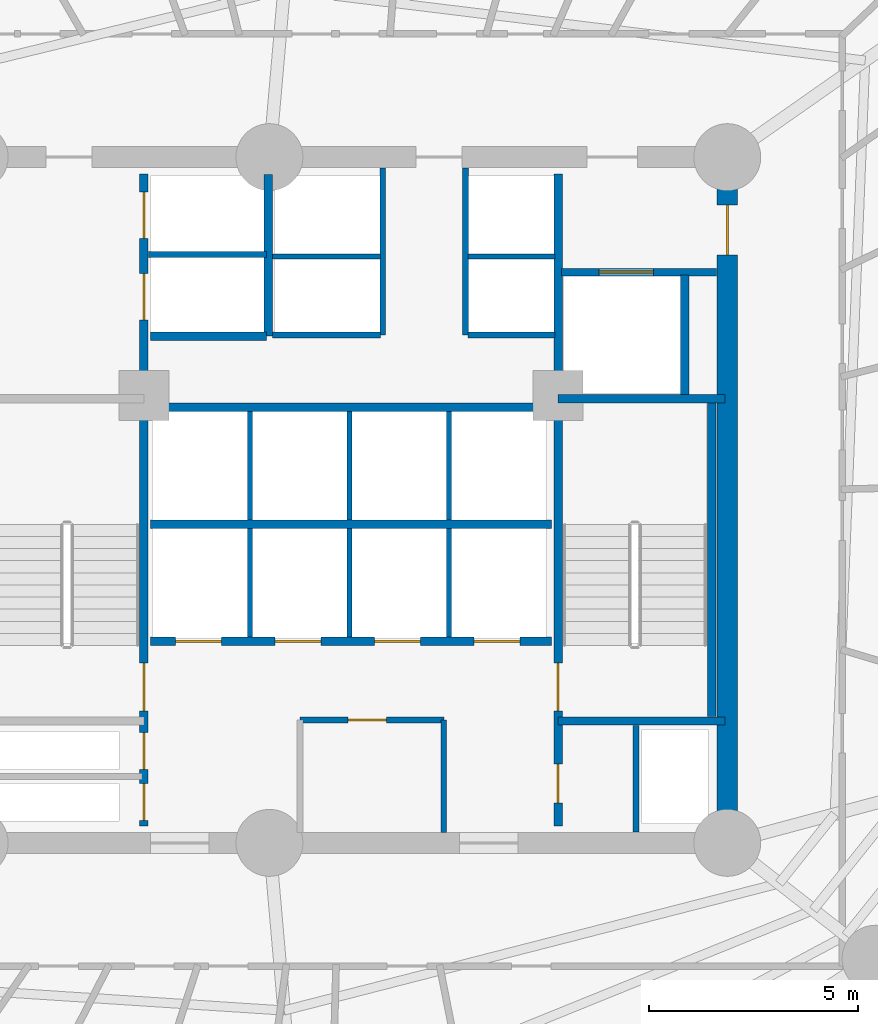
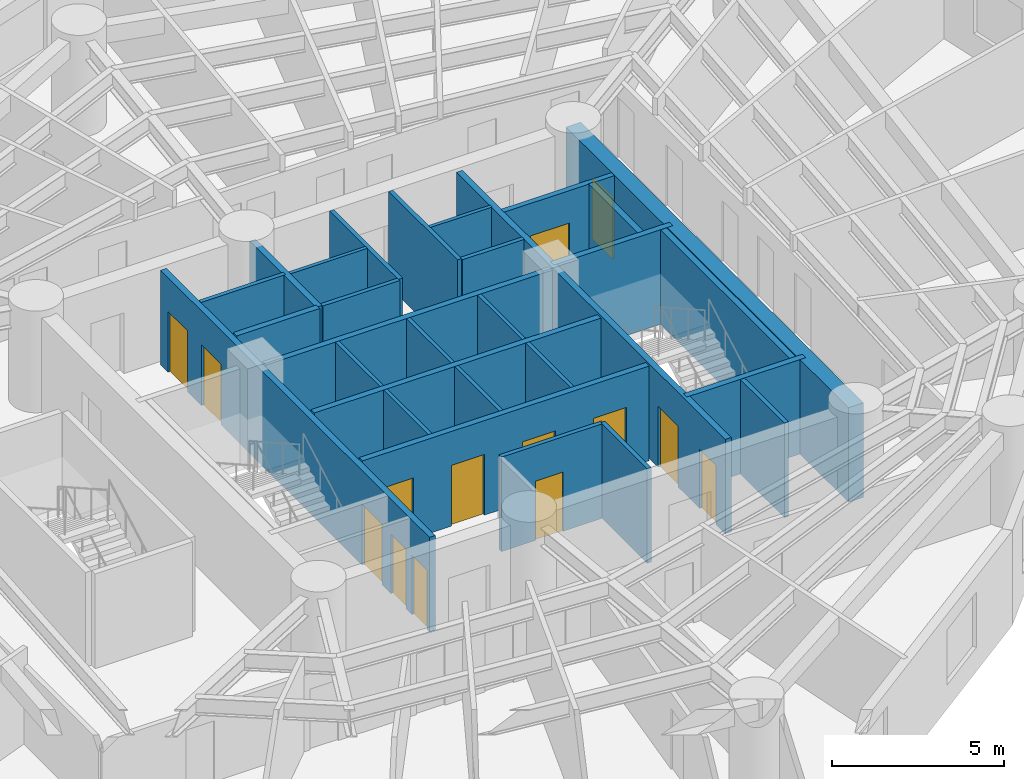
# One storey, part 4 of 7: 29 walls, 14 doors, 14 openings.
"""IFC4 building model written with IfcOpenShell, lengths in metres."""

from ifc_helpers import new_model, si_unit, direction, frame, frame_2d, origin, origin_with_axes, place, context, subcontext, project, spatial, rectangle, extrude, source, transform, mapped, material, layer, layer_set, type_object, element, fill, save


model = new_model("IFC4")

# Units and contexts
model_context = context("Model", 3, precision=1e-05, world=origin(), true_north=direction((0.0, 1.0)))
body_context = subcontext(model_context, "Body", "Model", "MODEL_VIEW")
ifc_project = project(units=[si_unit("LENGTHUNIT", "METRE"), si_unit("AREAUNIT", "SQUARE_METRE"), si_unit("VOLUMEUNIT", "CUBIC_METRE"), si_unit("PLANEANGLEUNIT", "RADIAN"), si_unit("MASSUNIT", "GRAM", prefix="KILO")], contexts=[model_context])

# Site, building, storey
site_placement = place(None, origin())
site = spatial("IfcSite", under=ifc_project, at=site_placement, CompositionType="ELEMENT")
building_placement = place(site_placement, origin())
building = spatial("IfcBuilding", under=site, at=building_placement, Name="Karkom Vertical University and Central Library", CompositionType="ELEMENT")
storey_placement = place(building_placement, frame((0.0, 0.0, 80.5)))
storey = spatial("IfcBuildingStorey", under=building, at=storey_placement, Name="L21", CompositionType="ELEMENT", Elevation=80.5)

# Walls
ifc_material_1 = material(Name="Moisture-resistant drywall 120mm", Category="gypsum")
ifc_layer_1 = layer(ifc_material_1, 0.1201171875)
ifc_layer_set_1 = layer_set([ifc_layer_1], Name="Moisture-resistant drywall 120mm")
wall_type_1 = type_object("IfcWallType", Name="INT-WL-INT-120H", PredefinedType="PARTITIONING", material=ifc_layer_set_1)
for number, where, z_axis, x_axis, name in (
    (1, (26.080078125, 23.219970703125, 0.0), (0.0, 0.0, 1.0), (0.0, 1.0, 0.0), "Level 21 Interior Partition Wall L21-CW-PL-DIV1"),
    (2, (28.4599609375, 23.219970703125, 0.0), (0.0, 0.0, 1.0), (0.0, 1.0, 0.0), "Level 21 Interior Partition Wall L21-CW-PL-DIV2"),
    (3, (30.840087890625, 23.219970703125, 0.0), (0.0, 0.0, 1.0), (0.0, 1.0, 0.0), "Level 21 Interior Partition Wall L21-CW-PL-DIV3"),
    (4, (26.080078125, 26.02001953125, 0.0), (0.0, 0.0, 1.0), (0.0, 1.0, 0.0), "Level 21 Interior Partition Wall L21-CW-PM-DIV1"),
    (5, (28.4599609375, 26.02001953125, 0.0), (0.0, 0.0, 1.0), (0.0, 1.0, 0.0), "Level 21 Interior Partition Wall L21-CW-PM-DIV2"),
    (6, (30.840087890625, 26.02001953125, 0.0), (0.0, 0.0, 1.0), (0.0, 1.0, 0.0), "Level 21 Interior Partition Wall L21-CW-PM-DIV3"),
):
    element("IfcWall", number, at=place(storey_placement, frame(where, z_axis=z_axis, x_axis=x_axis)), inside=storey, type_object=wall_type_1, Name=name, PredefinedType="PARTITIONING", context=body_context, shape_type="SweptSolid", body=[
        extrude(rectangle(XDim=2.60009765625, YDim=0.1201171875, at=frame_2d((1.300048828125, 0.0))), origin(), (0.0, 0.0, 1.0), 3.35009765625),
    ])
wall_1_placement = place(storey_placement, frame((26.6201171875, 32.320068359375, 0.0), z_axis=(0.0, 0.0, 1.0), x_axis=(1.0, 0.0, 0.0)))
element("IfcWall", 7, at=wall_1_placement, inside=storey, type_object=wall_type_1, Name="Level 21 Interior Partition Wall L21-CW-PH-MW", PredefinedType="PARTITIONING", context=body_context, shape_type="SweptSolid", body=[
    extrude(rectangle(XDim=2.579833984375, YDim=0.1201171875, at=frame_2d((1.2900390625, 0.0))), origin(), (0.0, 0.0, 1.0), 3.35009765625),
])
wall_2_placement = place(storey_placement, frame((31.300048828125, 32.320068359375, 0.0), z_axis=(0.0, 0.0, 1.0), x_axis=(1.0, 0.0, 0.0)))
element("IfcWall", 8, at=wall_2_placement, inside=storey, type_object=wall_type_1, Name="Level 21 Interior Partition Wall L21-CW-PH-ME", PredefinedType="PARTITIONING", context=body_context, shape_type="SweptSolid", body=[
    extrude(rectangle(XDim=2.074951171875, YDim=0.1201171875, at=frame_2d((1.03759765625, 0.0))), origin(), (0.0, 0.0, 1.0), 3.35009765625),
])

# Wall, opening, door
ifc_material_2 = material(Name="Metal-stud gypsum partition 140mm", Category="gypsum")
ifc_layer_2 = layer(ifc_material_2, 0.139892578125)
ifc_layer_set_2 = layer_set([ifc_layer_2], Name="Metal-stud gypsum partition 140mm")
wall_type_2 = type_object("IfcWallType", Name="INT-WL-SUB-140", PredefinedType="PARTITIONING", material=ifc_layer_set_2)
wall_3_placement = place(storey_placement, frame((27.280029296875, 21.239990234375, 0.0), z_axis=(0.0, 0.0, 1.0), x_axis=(1.0, 0.0, 0.0)))
wall_3 = element("IfcWall", 9, at=wall_3_placement, inside=storey, type_object=wall_type_2, Name="Level 21 Interior Partition Wall L21-CW-KBAY-N", PredefinedType="PARTITIONING", context=body_context, shape_type="SweptSolid", body=[
    extrude(rectangle(XDim=3.43994140625, YDim=0.139892578125, at=frame_2d((1.719970703125, 0.0))), origin(), (0.0, 0.0, 1.0), 3.35009765625),
])
opening_1_placement = place(wall_3_placement, frame((1.14990234375, 0.0, 0.0)))
opening_1 = element("IfcOpeningElement", 10, at=opening_1_placement, cuts=wall_3, Name="Opening D-SVC1", PredefinedType="OPENING", context=body_context, shape_type="SweptSolid", body=[
    extrude(rectangle(XDim=0.919921875, YDim=2.10009765625, at=frame_2d((0.4599609375, 1.050048828125))), frame((0.0, 0.080078125, 0.0), z_axis=(0.0, -1.0, 0.0), x_axis=(1.0, 0.0, 0.0)), (0.0, 0.0, 1.0), 0.159912109375),
])
ifc_material_3 = material(Name="Painted timber service door", Category="wood")
door_type_1 = type_object("IfcDoorType", Name="INT-DR-SVC1", OperationType="NOTDEFINED", PredefinedType="DOOR", material=ifc_material_3)
shared_shape_1 = source(origin_with_axes(), body_context, "Body", "SweptSolid", [
    extrude(rectangle(XDim=0.919921875, YDim=2.10009765625, at=frame_2d((0.4599609375, 1.050048828125))), frame((0.0, 0.02490234375, 0.0), z_axis=(0.0, -1.0, 0.0), x_axis=(1.0, 0.0, 0.0)), (0.0, 0.0, 1.0), 0.050048828125),
])
door_1_placement = place(opening_1_placement, origin())
door_1 = element("IfcDoor", 11, at=door_1_placement, inside=storey, type_object=door_type_1, Name="Level 21 Comms Room Door", OperationType="SINGLE_SWING_RIGHT", OverallHeight=2.10009765625, OverallWidth=0.919921875, PredefinedType="DOOR", context=body_context, shape_type="MappedRepresentation", body=[
    mapped(shared_shape_1, transform((0.0, 0.0, 0.0), scale=1.0)),
])
fill(opening_1, door_1)

# Walls
wall_4_placement = place(storey_placement, frame((30.719970703125, 18.550048828125, 0.0), z_axis=(0.0, 0.0, 1.0), x_axis=(0.0, 1.0, 0.0)))
element("IfcWall", 12, at=wall_4_placement, inside=storey, type_object=wall_type_2, Name="Level 21 Interior Partition Wall L21-CW-KBAY-E", PredefinedType="PARTITIONING", context=body_context, shape_type="SweptSolid", body=[
    extrude(rectangle(XDim=2.68994140625, YDim=0.139892578125, at=frame_2d((1.344970703125, 0.0))), origin(), (0.0, 0.0, 1.0), 3.35009765625),
])
ifc_layer_3 = layer(ifc_material_2, 0.139892578125)
ifc_layer_set_3 = layer_set([ifc_layer_3], Name="Metal-stud gypsum partition 140mm")
wall_type_3 = type_object("IfcWallType", Name="INT-WL-SUB-140H", PredefinedType="PARTITIONING", material=ifc_layer_set_3)
for number, where, z_axis, x_axis, name in (
    (13, (29.260009765625, 30.449951171875, 0.0), (0.0, 0.0, 1.0), (0.0, 1.0, 0.0), "Level 21 Interior Partition Wall L21-CW-PH-W"),
    (14, (31.239990234375, 30.449951171875, 0.0), (0.0, 0.0, 1.0), (0.0, 1.0, 0.0), "Level 21 Interior Partition Wall L21-CW-PH-E"),
):
    element("IfcWall", number, at=place(storey_placement, frame(where, z_axis=z_axis, x_axis=x_axis)), inside=storey, type_object=wall_type_3, Name=name, PredefinedType="PARTITIONING", context=body_context, shape_type="SweptSolid", body=[
        extrude(rectangle(XDim=3.9931640625, YDim=0.139892578125, at=frame_2d((1.99658203125, 0.0))), origin(), (0.0, 0.0, 1.0), 3.35009765625),
    ])
wall_5_placement = place(storey_placement, frame((26.6201171875, 30.449951171875, 0.0), z_axis=(0.0, 0.0, 1.0), x_axis=(1.0, 0.0, 0.0)))
element("IfcWall", 15, at=wall_5_placement, inside=storey, type_object=wall_type_3, Name="Level 21 Interior Partition Wall L21-CW-PH-S1", PredefinedType="PARTITIONING", context=body_context, shape_type="SweptSolid", body=[
    extrude(rectangle(XDim=2.579833984375, YDim=0.139892578125, at=frame_2d((1.2900390625, 0.0))), origin(), (0.0, 0.0, 1.0), 3.35009765625),
])
wall_6_placement = place(storey_placement, frame((35.320068359375, 18.556884765625, 0.0), z_axis=(0.0, 0.0, 1.0), x_axis=(0.0, 1.0, 0.0)))
element("IfcWall", 16, at=wall_6_placement, inside=storey, type_object=wall_type_3, Name="Level 21 Interior Partition Wall L21-CW-RIS-E", PredefinedType="PARTITIONING", context=body_context, shape_type="SweptSolid", body=[
    extrude(rectangle(XDim=2.553466796875, YDim=0.139892578125, at=frame_2d((1.27685546875, 0.0))), origin(), (0.0, 0.0, 1.0), 3.35009765625),
])
wall_7_placement = place(storey_placement, frame((31.300048828125, 30.449951171875, 0.0), z_axis=(0.0, 0.0, 1.0), x_axis=(1.0, 0.0, 0.0)))
element("IfcWall", 17, at=wall_7_placement, inside=storey, type_object=wall_type_3, Name="Level 21 Interior Partition Wall L21-CW-PH-S2", PredefinedType="PARTITIONING", context=body_context, shape_type="SweptSolid", body=[
    extrude(rectangle(XDim=2.074951171875, YDim=0.139892578125, at=frame_2d((1.03759765625, 0.0))), origin(), (0.0, 0.0, 1.0), 3.35009765625),
])
ifc_layer_4 = layer(ifc_material_2, 0.139892578125)
ifc_layer_set_4 = layer_set([ifc_layer_4], Name="Metal-stud gypsum partition 140mm")
wall_type_4 = type_object("IfcWallType", Name="INT-WL-SUB-140X", PredefinedType="PARTITIONING", material=ifc_layer_set_4)
wall_8_placement = place(storey_placement, frame((23.652099609375, 32.3701171875, 0.0), z_axis=(0.0, 0.0, 1.0), x_axis=(1.0, 0.0, 0.0)))
element("IfcWall", 18, at=wall_8_placement, inside=storey, type_object=wall_type_4, Name="Level 21 Interior Partition Wall L21-CW-FFL-M", PredefinedType="PARTITIONING", context=body_context, shape_type="SweptSolid", body=[
    extrude(rectangle(XDim=2.827880859375, YDim=0.139892578125, at=frame_2d((1.4140625, 0.0))), origin(), (0.0, 0.0, 1.0), 3.35009765625),
])

# Wall, opening, door
ifc_material_4 = material(Name="Twin-stud acoustic drywall 180mm", Category="gypsum")
ifc_layer_5 = layer(ifc_material_4, 0.179931640625)
ifc_layer_set_5 = layer_set([ifc_layer_5], Name="Twin-stud acoustic drywall 180mm")
wall_type_5 = type_object("IfcWallType", Name="INT-WL-TEN-180F", PredefinedType="PARTITIONING", material=ifc_layer_set_5)
wall_9_placement = place(storey_placement, frame((33.534912109375, 31.949951171875, 0.0), z_axis=(0.0, 0.0, 1.0), x_axis=(1.0, 0.0, 0.0)))
wall_9 = element("IfcWall", 19, at=wall_9_placement, inside=storey, type_object=wall_type_5, Name="Level 21 Interior Partition Wall L21-CW-SVL-N", PredefinedType="PARTITIONING", context=body_context, shape_type="SweptSolid", body=[
    extrude(rectangle(XDim=3.708740234375, YDim=0.179931640625, at=frame_2d((1.8544921875, 0.0))), origin(), (0.0, 0.0, 1.0), 3.35009765625),
])
opening_2_placement = place(wall_9_placement, frame((0.89990234375, 0.0, 0.0)))
opening_2 = element("IfcOpeningElement", 20, at=opening_2_placement, cuts=wall_9, Name="Opening LD-SV1", PredefinedType="OPENING", context=body_context, shape_type="SweptSolid", body=[
    extrude(rectangle(XDim=1.300048828125, YDim=2.199951171875, at=frame_2d((0.64990234375, 1.10009765625))), frame((0.0, 0.10009765625, 0.0), z_axis=(0.0, -1.0, 0.0), x_axis=(1.0, 0.0, 0.0)), (0.0, 0.0, 1.0), 0.199951171875),
])
ifc_material_5 = material(Name="Brushed stainless-steel landing door", Category="steel")
door_type_2 = type_object("IfcDoorType", Name="INT-DR-LD-SV1", OperationType="SLIDING_TO_LEFT", PredefinedType="DOOR", material=ifc_material_5)
shared_shape_2 = source(origin_with_axes(), body_context, "Body", "SweptSolid", [
    extrude(rectangle(XDim=1.300048828125, YDim=2.199951171875, at=frame_2d((0.64990234375, 1.10009765625))), frame((0.0, 0.02490234375, 0.0), z_axis=(0.0, -1.0, 0.0), x_axis=(1.0, 0.0, 0.0)), (0.0, 0.0, 1.0), 0.050048828125),
])
door_2_placement = place(opening_2_placement, origin())
door_2 = element("IfcDoor", 21, at=door_2_placement, inside=storey, type_object=door_type_2, Name="Level 21 Service Lift Landing Door LD-SV1", OperationType="SLIDING_TO_LEFT", OverallHeight=2.199951171875, OverallWidth=1.300048828125, PredefinedType="DOOR", context=body_context, shape_type="MappedRepresentation", body=[
    mapped(shared_shape_2, transform((0.0, 0.0, 0.0), scale=1.0)),
])
fill(opening_2, door_2)

ifc_material_6 = material(Name="Concrete C50/60", Category="concrete")
ifc_layer_6 = layer(ifc_material_6, 0.5)
ifc_layer_set_6 = layer_set([ifc_layer_6], Name="Concrete C50/60")
wall_type_6 = type_object("IfcWallType", Name="STR-WL-CW-500", PredefinedType="SHEAR", material=ifc_layer_set_6)
wall_10_placement = place(storey_placement, frame((37.5, 18.300048828125, 0.0), z_axis=(0.0, 0.0, 1.0), x_axis=(0.0, 1.0, 0.0)))
wall_10 = element("IfcWall", 22, at=wall_10_placement, inside=storey, type_object=wall_type_6, Name="Level 21 Central Core Shear Wall EW", PredefinedType="SHEAR", context=body_context, shape_type="SweptSolid", body=[
    extrude(rectangle(XDim=16.39990234375, YDim=0.5, at=frame_2d((8.199951171875, 0.0))), origin(), (0.0, 0.0, 1.0), 3.35009765625),
])
opening_3_placement = place(wall_10_placement, frame((14.06005859375, 0.0, 0.0)))
opening_3 = element("IfcOpeningElement", 23, at=opening_3_placement, cuts=wall_10, Name="Opening FD-SUB1", PredefinedType="OPENING", context=body_context, shape_type="SweptSolid", body=[
    extrude(rectangle(XDim=1.199951171875, YDim=2.14990234375, at=frame_2d((0.60009765625, 1.074951171875))), frame((0.0, 0.260009765625, 0.0), z_axis=(0.0, -1.0, 0.0), x_axis=(1.0, 0.0, 0.0)), (0.0, 0.0, 1.0), 0.52001953125),
])
ifc_material_7 = material(Name="Painted steel fire door", Category="steel")
door_type_3 = type_object("IfcDoorType", Name="INT-DR-SUB1", OperationType="NOTDEFINED", PredefinedType="DOOR", material=ifc_material_7)
shared_shape_3 = source(origin_with_axes(), body_context, "Body", "SweptSolid", [
    extrude(rectangle(XDim=1.199951171875, YDim=2.14990234375, at=frame_2d((0.60009765625, 1.074951171875))), frame((0.0, 0.02490234375, 0.0), z_axis=(0.0, -1.0, 0.0), x_axis=(1.0, 0.0, 0.0)), (0.0, 0.0, 1.0), 0.050048828125),
])
door_3_placement = place(opening_3_placement, origin())
door_3 = element("IfcDoor", 24, at=door_3_placement, inside=storey, type_object=door_type_3, Name="Level 21 East Corridor Service Lobby Door", OperationType="SINGLE_SWING_LEFT", OverallHeight=2.14990234375, OverallWidth=1.199951171875, PredefinedType="DOOR", context=body_context, shape_type="MappedRepresentation", body=[
    mapped(shared_shape_3, transform((0.0, 0.0, 0.0), scale=1.0)),
])
fill(opening_3, door_3)

# Wall, openings, doors
ifc_material_8 = material(Name="Concrete C45/55", Category="concrete")
ifc_layer_7 = layer(ifc_material_8, 0.199951171875)
ifc_layer_set_7 = layer_set([ifc_layer_7], Name="Concrete C45/55")
wall_type_7 = type_object("IfcWallType", Name="STR-WL-ST-200", PredefinedType="SHEAR", material=ifc_layer_set_7)
wall_11_placement = place(storey_placement, frame((23.544921875, 18.699951171875, 0.0), z_axis=(0.0, 0.0, 1.0), x_axis=(0.0, 1.0, 0.0)))
wall_11 = element("IfcWall", 25, at=wall_11_placement, inside=storey, type_object=wall_type_7, Name="Level 21 Core Shaft Wall L21-CW-ST1-E", PredefinedType="SHEAR", context=body_context, shape_type="SweptSolid", body=[
    extrude(rectangle(XDim=15.60009765625, YDim=0.199951171875, at=frame_2d((7.800048828125, 0.0))), origin(), (0.0, 0.0, 1.0), 3.35009765625),
])
opening_4_placement = place(wall_11_placement, frame((2.75, 0.0, 0.0)))
opening_4 = element("IfcOpeningElement", 26, at=opening_4_placement, cuts=wall_11, Name="Opening FD-ST1", PredefinedType="OPENING", context=body_context, shape_type="SweptSolid", body=[
    extrude(rectangle(XDim=1.14990234375, YDim=2.14990234375, at=frame_2d((0.574951171875, 1.074951171875))), frame((0.0, 0.10986328125, 0.0), z_axis=(0.0, -1.0, 0.0), x_axis=(1.0, 0.0, 0.0)), (0.0, 0.0, 1.0), 0.219970703125),
])
opening_5_placement = place(wall_11_placement, frame((0.139892578125, 0.0, 0.0)))
opening_5 = element("IfcOpeningElement", 27, at=opening_5_placement, cuts=wall_11, Name="Opening FD-RIS", PredefinedType="OPENING", context=body_context, shape_type="SweptSolid", body=[
    extrude(rectangle(XDim=0.8798828125, YDim=2.10009765625, at=frame_2d((0.43994140625, 1.050048828125))), frame((0.0, 0.10986328125, 0.0), z_axis=(0.0, -1.0, 0.0), x_axis=(1.0, 0.0, 0.0)), (0.0, 0.0, 1.0), 0.219970703125),
])
opening_6_placement = place(wall_11_placement, frame((1.360107421875, 0.0, 0.0)))
opening_6 = element("IfcOpeningElement", 28, at=opening_6_placement, cuts=wall_11, Name="Opening FD-RIS", PredefinedType="OPENING", context=body_context, shape_type="SweptSolid", body=[
    extrude(rectangle(XDim=0.8798828125, YDim=2.10009765625, at=frame_2d((0.43994140625, 1.050048828125))), frame((0.0, 0.10986328125, 0.0), z_axis=(0.0, -1.0, 0.0), x_axis=(1.0, 0.0, 0.0)), (0.0, 0.0, 1.0), 0.219970703125),
])
opening_7_placement = place(wall_11_placement, frame((12.10009765625, 0.0, 0.0)))
opening_7 = element("IfcOpeningElement", 29, at=opening_7_placement, cuts=wall_11, Name="Opening LD-FFL", PredefinedType="OPENING", context=body_context, shape_type="SweptSolid", body=[
    extrude(rectangle(XDim=1.1201171875, YDim=2.14990234375, at=frame_2d((0.56005859375, 1.074951171875))), frame((0.0, 0.10986328125, 0.0), z_axis=(0.0, -1.0, 0.0), x_axis=(1.0, 0.0, 0.0)), (0.0, 0.0, 1.0), 0.219970703125),
])
opening_8_placement = place(wall_11_placement, frame((14.050048828125, 0.0, 0.0)))
opening_8 = element("IfcOpeningElement", 30, at=opening_8_placement, cuts=wall_11, Name="Opening LD-FFL", PredefinedType="OPENING", context=body_context, shape_type="SweptSolid", body=[
    extrude(rectangle(XDim=1.1201171875, YDim=2.14990234375, at=frame_2d((0.56005859375, 1.074951171875))), frame((0.0, 0.10986328125, 0.0), z_axis=(0.0, -1.0, 0.0), x_axis=(1.0, 0.0, 0.0)), (0.0, 0.0, 1.0), 0.219970703125),
])
ifc_material_9 = material(Name="Painted steel acoustic fire door", Category="steel")
door_type_4 = type_object("IfcDoorType", Name="INT-DR-ST1", OperationType="NOTDEFINED", PredefinedType="DOOR", material=ifc_material_9)
shared_shape_4 = source(origin_with_axes(), body_context, "Body", "SweptSolid", [
    extrude(rectangle(XDim=1.14990234375, YDim=2.14990234375, at=frame_2d((0.574951171875, 1.074951171875))), frame((0.0, 0.02490234375, 0.0), z_axis=(0.0, -1.0, 0.0), x_axis=(1.0, 0.0, 0.0)), (0.0, 0.0, 1.0), 0.050048828125),
])
door_4_placement = place(opening_4_placement, origin())
door_4 = element("IfcDoor", 31, at=door_4_placement, inside=storey, type_object=door_type_4, Name="Level 21 Stair ST-1 Fire Door", OperationType="SINGLE_SWING_LEFT", OverallHeight=2.14990234375, OverallWidth=1.14990234375, PredefinedType="DOOR", context=body_context, shape_type="MappedRepresentation", body=[
    mapped(shared_shape_4, transform((0.0, 0.0, 0.0), scale=1.0)),
])
fill(opening_4, door_4)
ifc_material_10 = material(Name="Painted steel riser access door", Category="steel")
door_type_5 = type_object("IfcDoorType", Name="INT-DR-RIS", OperationType="NOTDEFINED", PredefinedType="DOOR", material=ifc_material_10)
shared_shape_5 = source(origin_with_axes(), body_context, "Body", "SweptSolid", [
    extrude(rectangle(XDim=0.8798828125, YDim=2.10009765625, at=frame_2d((0.43994140625, 1.050048828125))), frame((0.0, 0.02490234375, 0.0), z_axis=(0.0, -1.0, 0.0), x_axis=(1.0, 0.0, 0.0)), (0.0, 0.0, 1.0), 0.050048828125),
])
door_5_placement = place(opening_5_placement, origin())
door_5 = element("IfcDoor", 32, at=door_5_placement, inside=storey, type_object=door_type_5, Name="Level 21 Electrical Riser Access Door", OperationType="SINGLE_SWING_LEFT", OverallHeight=2.10009765625, OverallWidth=0.8798828125, PredefinedType="DOOR", context=body_context, shape_type="MappedRepresentation", body=[
    mapped(shared_shape_5, transform((0.0, 0.0, 0.0), scale=1.0)),
])
fill(opening_5, door_5)
door_6_placement = place(opening_6_placement, origin())
door_6 = element("IfcDoor", 33, at=door_6_placement, inside=storey, type_object=door_type_5, Name="Level 21 Telecom Riser Access Door", OperationType="SINGLE_SWING_RIGHT", OverallHeight=2.10009765625, OverallWidth=0.8798828125, PredefinedType="DOOR", context=body_context, shape_type="MappedRepresentation", body=[
    mapped(shared_shape_5, transform((0.0, 0.0, 0.0), scale=1.0)),
])
fill(opening_6, door_6)
ifc_material_11 = material(Name="Fire-rated stainless-steel landing door", Category="steel")
door_type_6 = type_object("IfcDoorType", Name="INT-DR-LD-FFL", OperationType="SLIDING_TO_LEFT", PredefinedType="DOOR", material=ifc_material_11)
shared_shape_6 = source(origin_with_axes(), body_context, "Body", "SweptSolid", [
    extrude(rectangle(XDim=1.1201171875, YDim=2.14990234375, at=frame_2d((0.56005859375, 1.074951171875))), frame((0.0, 0.02490234375, 0.0), z_axis=(0.0, -1.0, 0.0), x_axis=(1.0, 0.0, 0.0)), (0.0, 0.0, 1.0), 0.050048828125),
])
door_7_placement = place(opening_7_placement, origin())
door_7 = element("IfcDoor", 34, at=door_7_placement, inside=storey, type_object=door_type_6, Name="Level 21 Firefighting Lift FFL-1 Landing Door", OperationType="SLIDING_TO_LEFT", OverallHeight=2.14990234375, OverallWidth=1.1201171875, PredefinedType="DOOR", context=body_context, shape_type="MappedRepresentation", body=[
    mapped(shared_shape_6, transform((0.0, 0.0, 0.0), scale=1.0)),
])
fill(opening_7, door_7)
door_8_placement = place(opening_8_placement, origin())
door_8 = element("IfcDoor", 35, at=door_8_placement, inside=storey, type_object=door_type_6, Name="Level 21 Firefighting Lift FFL-2 Landing Door", OperationType="SLIDING_TO_RIGHT", OverallHeight=2.14990234375, OverallWidth=1.1201171875, PredefinedType="DOOR", context=body_context, shape_type="MappedRepresentation", body=[
    mapped(shared_shape_6, transform((0.0, 0.0, 0.0), scale=1.0)),
])
fill(opening_8, door_8)

wall_12_placement = place(storey_placement, frame((33.455078125, 18.699951171875, 0.0), z_axis=(0.0, 0.0, 1.0), x_axis=(0.0, 1.0, 0.0)))
wall_12 = element("IfcWall", 36, at=wall_12_placement, inside=storey, type_object=wall_type_7, Name="Level 21 Core Shaft Wall L21-CW-ST2-W", PredefinedType="SHEAR", context=body_context, shape_type="SweptSolid", body=[
    extrude(rectangle(XDim=15.60009765625, YDim=0.199951171875, at=frame_2d((7.800048828125, 0.0))), origin(), (0.0, 0.0, 1.0), 3.35009765625),
])
opening_9_placement = place(wall_12_placement, frame((2.75, 0.0, 0.0)))
opening_9 = element("IfcOpeningElement", 37, at=opening_9_placement, cuts=wall_12, Name="Opening FD-ST1", PredefinedType="OPENING", context=body_context, shape_type="SweptSolid", body=[
    extrude(rectangle(XDim=1.14990234375, YDim=2.14990234375, at=frame_2d((0.574951171875, 1.074951171875))), frame((0.0, 0.10986328125, 0.0), z_axis=(0.0, -1.0, 0.0), x_axis=(1.0, 0.0, 0.0)), (0.0, 0.0, 1.0), 0.219970703125),
])
opening_10_placement = place(wall_12_placement, frame((0.550048828125, 0.0, 0.0)))
opening_10 = element("IfcOpeningElement", 38, at=opening_10_placement, cuts=wall_12, Name="Opening D-WC1", PredefinedType="OPENING", context=body_context, shape_type="SweptSolid", body=[
    extrude(rectangle(XDim=0.93994140625, YDim=2.10009765625, at=frame_2d((0.469970703125, 1.050048828125))), frame((0.0, 0.10986328125, 0.0), z_axis=(0.0, -1.0, 0.0), x_axis=(1.0, 0.0, 0.0)), (0.0, 0.0, 1.0), 0.219970703125),
])
door_9_placement = place(opening_9_placement, origin())
door_9 = element("IfcDoor", 39, at=door_9_placement, inside=storey, type_object=door_type_4, Name="Level 21 Stair ST-2 Fire Door", OperationType="SINGLE_SWING_RIGHT", OverallHeight=2.14990234375, OverallWidth=1.14990234375, PredefinedType="DOOR", context=body_context, shape_type="MappedRepresentation", body=[
    mapped(shared_shape_4, transform((0.0, 0.0, 0.0), scale=1.0)),
])
fill(opening_9, door_9)
ifc_material_12 = material(Name="Fire-rated laminate moisture-resistant door", Category="wood")
door_type_7 = type_object("IfcDoorType", Name="INT-DR-WC1", OperationType="NOTDEFINED", PredefinedType="DOOR", material=ifc_material_12)
shared_shape_7 = source(origin_with_axes(), body_context, "Body", "SweptSolid", [
    extrude(rectangle(XDim=0.93994140625, YDim=2.10009765625, at=frame_2d((0.469970703125, 1.050048828125))), frame((0.0, 0.02490234375, 0.0), z_axis=(0.0, -1.0, 0.0), x_axis=(1.0, 0.0, 0.0)), (0.0, 0.0, 1.0), 0.050048828125),
])
door_10_placement = place(opening_10_placement, origin())
door_10 = element("IfcDoor", 40, at=door_10_placement, inside=storey, type_object=door_type_7, Name="Level 21 Accessible WC Door", OperationType="SINGLE_SWING_LEFT", OverallHeight=2.10009765625, OverallWidth=0.93994140625, PredefinedType="DOOR", context=body_context, shape_type="MappedRepresentation", body=[
    mapped(shared_shape_7, transform((0.0, 0.0, 0.0), scale=1.0)),
])
fill(opening_10, door_10)

wall_13_placement = place(storey_placement, frame((23.699951171875, 23.1201171875, 0.0), z_axis=(0.0, 0.0, 1.0), x_axis=(1.0, 0.0, 0.0)))
wall_13 = element("IfcWall", 41, at=wall_13_placement, inside=storey, type_object=wall_type_7, Name="Level 21 Core Shaft Wall L21-CW-B1-S", PredefinedType="SHEAR", context=body_context, shape_type="SweptSolid", body=[
    extrude(rectangle(XDim=9.60009765625, YDim=0.199951171875, at=frame_2d((4.800048828125, 0.0))), origin(), (0.0, 0.0, 1.0), 3.35009765625),
])
opening_11_placement = place(wall_13_placement, frame((0.60009765625, 0.0, 0.0)))
opening_11 = element("IfcOpeningElement", 42, at=opening_11_placement, cuts=wall_13, Name="Opening LD-PAX", PredefinedType="OPENING", context=body_context, shape_type="SweptSolid", body=[
    extrude(rectangle(XDim=1.10009765625, YDim=2.14990234375, at=frame_2d((0.550048828125, 1.074951171875))), frame((0.0, 0.10986328125, 0.0), z_axis=(0.0, -1.0, 0.0), x_axis=(1.0, 0.0, 0.0)), (0.0, 0.0, 1.0), 0.219970703125),
])
opening_12_placement = place(wall_13_placement, frame((2.97998046875, 0.0, 0.0)))
opening_12 = element("IfcOpeningElement", 43, at=opening_12_placement, cuts=wall_13, Name="Opening LD-PAX", PredefinedType="OPENING", context=body_context, shape_type="SweptSolid", body=[
    extrude(rectangle(XDim=1.10009765625, YDim=2.14990234375, at=frame_2d((0.550048828125, 1.074951171875))), frame((0.0, 0.10986328125, 0.0), z_axis=(0.0, -1.0, 0.0), x_axis=(1.0, 0.0, 0.0)), (0.0, 0.0, 1.0), 0.219970703125),
])
opening_13_placement = place(wall_13_placement, frame((5.360107421875, 0.0, 0.0)))
opening_13 = element("IfcOpeningElement", 44, at=opening_13_placement, cuts=wall_13, Name="Opening LD-PAX", PredefinedType="OPENING", context=body_context, shape_type="SweptSolid", body=[
    extrude(rectangle(XDim=1.10009765625, YDim=2.14990234375, at=frame_2d((0.550048828125, 1.074951171875))), frame((0.0, 0.10986328125, 0.0), z_axis=(0.0, -1.0, 0.0), x_axis=(1.0, 0.0, 0.0)), (0.0, 0.0, 1.0), 0.219970703125),
])
opening_14_placement = place(wall_13_placement, frame((7.739990234375, 0.0, 0.0)))
opening_14 = element("IfcOpeningElement", 45, at=opening_14_placement, cuts=wall_13, Name="Opening LD-PAX", PredefinedType="OPENING", context=body_context, shape_type="SweptSolid", body=[
    extrude(rectangle(XDim=1.10009765625, YDim=2.14990234375, at=frame_2d((0.550048828125, 1.074951171875))), frame((0.0, 0.10986328125, 0.0), z_axis=(0.0, -1.0, 0.0), x_axis=(1.0, 0.0, 0.0)), (0.0, 0.0, 1.0), 0.219970703125),
])
door_type_8 = type_object("IfcDoorType", Name="INT-DR-LD-PAX", OperationType="SLIDING_TO_LEFT", PredefinedType="DOOR", material=ifc_material_5)
shared_shape_8 = source(origin_with_axes(), body_context, "Body", "SweptSolid", [
    extrude(rectangle(XDim=1.10009765625, YDim=2.14990234375, at=frame_2d((0.550048828125, 1.074951171875))), frame((0.0, 0.02490234375, 0.0), z_axis=(0.0, -1.0, 0.0), x_axis=(1.0, 0.0, 0.0)), (0.0, 0.0, 1.0), 0.050048828125),
])
door_11_placement = place(opening_11_placement, origin())
door_11 = element("IfcDoor", 46, at=door_11_placement, inside=storey, type_object=door_type_8, Name="Level 21 Lift PL-1 Landing Door", OperationType="SLIDING_TO_LEFT", OverallHeight=2.14990234375, OverallWidth=1.10009765625, PredefinedType="DOOR", context=body_context, shape_type="MappedRepresentation", body=[
    mapped(shared_shape_8, transform((0.0, 0.0, 0.0), scale=1.0)),
])
fill(opening_11, door_11)
door_12_placement = place(opening_12_placement, origin())
door_12 = element("IfcDoor", 47, at=door_12_placement, inside=storey, type_object=door_type_8, Name="Level 21 Lift PL-2 Landing Door", OperationType="SLIDING_TO_RIGHT", OverallHeight=2.14990234375, OverallWidth=1.10009765625, PredefinedType="DOOR", context=body_context, shape_type="MappedRepresentation", body=[
    mapped(shared_shape_8, transform((0.0, 0.0, 0.0), scale=1.0)),
])
fill(opening_12, door_12)
door_13_placement = place(opening_13_placement, origin())
door_13 = element("IfcDoor", 48, at=door_13_placement, inside=storey, type_object=door_type_8, Name="Level 21 Lift PL-3 Landing Door", OperationType="SLIDING_TO_LEFT", OverallHeight=2.14990234375, OverallWidth=1.10009765625, PredefinedType="DOOR", context=body_context, shape_type="MappedRepresentation", body=[
    mapped(shared_shape_8, transform((0.0, 0.0, 0.0), scale=1.0)),
])
fill(opening_13, door_13)
door_14_placement = place(opening_14_placement, origin())
door_14 = element("IfcDoor", 49, at=door_14_placement, inside=storey, type_object=door_type_8, Name="Level 21 Lift PL-4 Landing Door", OperationType="SLIDING_TO_RIGHT", OverallHeight=2.14990234375, OverallWidth=1.10009765625, PredefinedType="DOOR", context=body_context, shape_type="MappedRepresentation", body=[
    mapped(shared_shape_8, transform((0.0, 0.0, 0.0), scale=1.0)),
])
fill(opening_14, door_14)

# Walls
for number, where, z_axis, x_axis, name in (
    (50, (23.699951171875, 25.919921875, 0.0), (0.0, 0.0, 1.0), (1.0, 0.0, 0.0), "Level 21 Core Shaft Wall L21-CW-B1-N"),
    (51, (23.699951171875, 28.719970703125, 0.0), (0.0, 0.0, 1.0), (1.0, 0.0, 0.0), "Level 21 Core Shaft Wall L21-CW-B2-N"),
):
    element("IfcWall", number, at=place(storey_placement, frame(where, z_axis=z_axis, x_axis=x_axis)), inside=storey, type_object=wall_type_7, Name=name, PredefinedType="SHEAR", context=body_context, shape_type="SweptSolid", body=[
        extrude(rectangle(XDim=9.60009765625, YDim=0.199951171875, at=frame_2d((4.800048828125, 0.0))), origin(), (0.0, 0.0, 1.0), 3.35009765625),
    ])
wall_14_placement = place(storey_placement, frame((37.125, 21.320068359375, 0.0), z_axis=(0.0, 0.0, 1.0), x_axis=(0.0, 1.0, 0.0)))
element("IfcWall", 52, at=wall_14_placement, inside=storey, type_object=wall_type_7, Name="Level 21 Core Shaft Wall L21-CW-ST2-E", PredefinedType="SHEAR", context=body_context, shape_type="SweptSolid", body=[
    extrude(rectangle(XDim=7.5, YDim=0.199951171875, at=frame_2d((3.75, 0.0))), origin(), (0.0, 0.0, 1.0), 3.35009765625),
])
for number, where, z_axis, x_axis, name in (
    (53, (33.455078125, 21.215087890625, 0.0), (0.0, 0.0, 1.0), (1.0, 0.0, 0.0), "Level 21 Core Shaft Wall L21-CW-ST2-S"),
    (54, (33.455078125, 28.925048828125, 0.0), (0.0, 0.0, 1.0), (1.0, 0.0, 0.0), "Level 21 Core Shaft Wall L21-CW-ST2-N"),
):
    element("IfcWall", number, at=place(storey_placement, frame(where, z_axis=z_axis, x_axis=x_axis)), inside=storey, type_object=wall_type_7, Name=name, PredefinedType="SHEAR", context=body_context, shape_type="SweptSolid", body=[
        extrude(rectangle(XDim=3.994873046875, YDim=0.199951171875, at=frame_2d((1.99755859375, 0.0))), origin(), (0.0, 0.0, 1.0), 3.35009765625),
    ])
wall_15_placement = place(storey_placement, frame((26.52001953125, 30.419921875, 0.0), z_axis=(0.0, 0.0, 1.0), x_axis=(0.0, 1.0, 0.0)))
element("IfcWall", 55, at=wall_15_placement, inside=storey, type_object=wall_type_7, Name="Level 21 Core Shaft Wall L21-CW-FFL-E", PredefinedType="SHEAR", context=body_context, shape_type="SweptSolid", body=[
    extrude(rectangle(XDim=3.860107421875, YDim=0.199951171875, at=frame_2d((1.93017578125, 0.0))), origin(), (0.0, 0.0, 1.0), 3.35009765625),
])
wall_16_placement = place(storey_placement, frame((36.47998046875, 29.02001953125, 0.0), z_axis=(0.0, 0.0, 1.0), x_axis=(0.0, 1.0, 0.0)))
element("IfcWall", 56, at=wall_16_placement, inside=storey, type_object=wall_type_7, Name="Level 21 Core Shaft Wall L21-CW-SVL-E", PredefinedType="SHEAR", context=body_context, shape_type="SweptSolid", body=[
    extrude(rectangle(XDim=2.85986328125, YDim=0.199951171875, at=frame_2d((1.429931640625, 0.0))), origin(), (0.0, 0.0, 1.0), 3.35009765625),
])
wall_17_placement = place(storey_placement, frame((23.699951171875, 30.419921875, 0.0), z_axis=(0.0, 0.0, 1.0), x_axis=(1.0, 0.0, 0.0)))
element("IfcWall", 57, at=wall_17_placement, inside=storey, type_object=wall_type_7, Name="Level 21 Core Shaft Wall L21-CW-FFL-S", PredefinedType="SHEAR", context=body_context, shape_type="SweptSolid", body=[
    extrude(rectangle(XDim=2.780029296875, YDim=0.199951171875, at=frame_2d((1.39013671875, 0.0))), origin(), (0.0, 0.0, 1.0), 3.35009765625),
])

save(model, "model.ifc")
